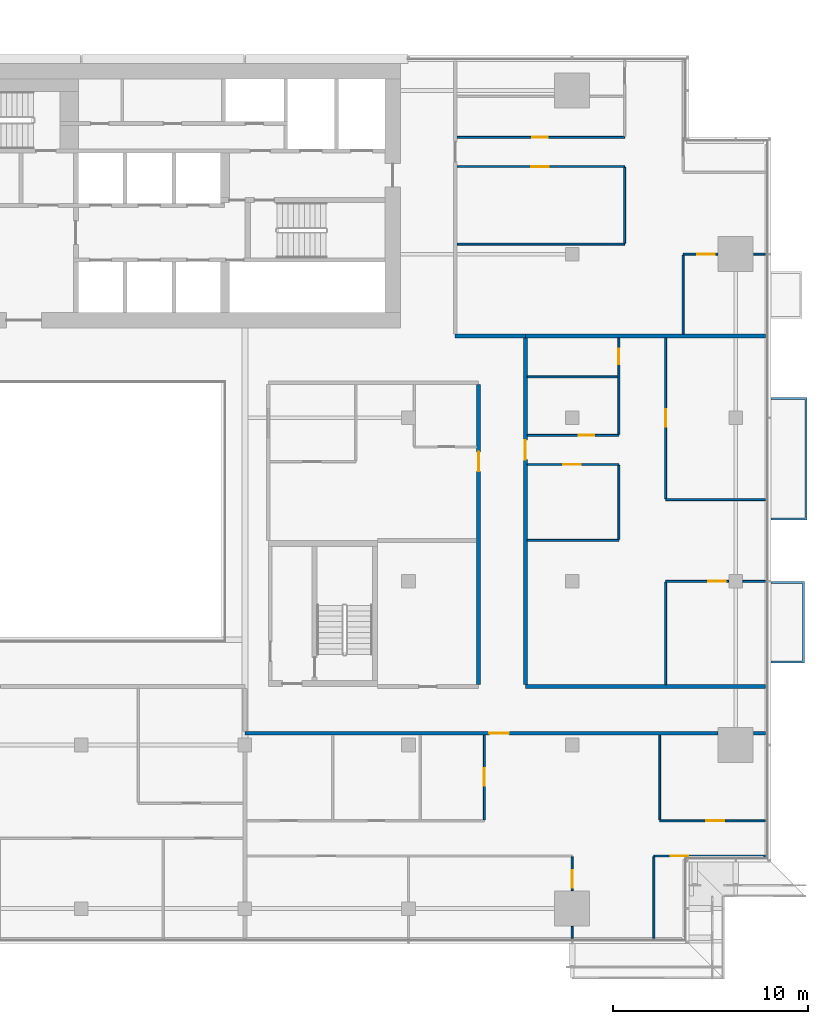
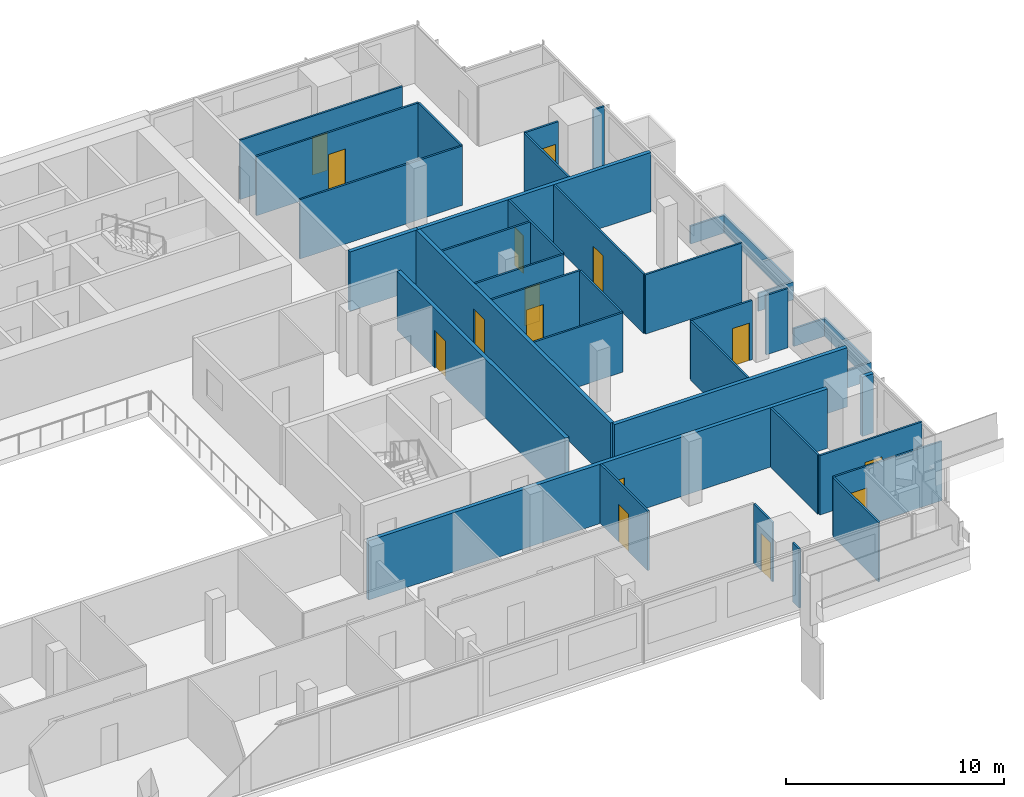
# One storey, part 23 of 30: 34 walls, 15 doors, 15 openings.
"""IFC4 building model written with IfcOpenShell, lengths in metres."""

from ifc_helpers import new_model, si_unit, direction, frame, frame_2d, origin, place, context, subcontext, project, spatial, polyline, rectangle, outline, extrude, material, layer, layer_set, type_object, element, fill, save


model = new_model("IFC4")

# Units and contexts
model_context = context("Model", 3, precision=1e-05, world=origin(), true_north=direction((0.0, 1.0)))
body_context = subcontext(model_context, "Body", "Model", "MODEL_VIEW")
ifc_project = project(units=[si_unit("LENGTHUNIT", "METRE"), si_unit("AREAUNIT", "SQUARE_METRE"), si_unit("VOLUMEUNIT", "CUBIC_METRE"), si_unit("PLANEANGLEUNIT", "RADIAN"), si_unit("MASSUNIT", "GRAM", prefix="KILO")], contexts=[model_context])

# Site, building, storey
site_placement = place(None, origin())
site = spatial("IfcSite", under=ifc_project, at=site_placement, CompositionType="ELEMENT")
building_placement = place(site_placement, origin())
building = spatial("IfcBuilding", under=site, at=building_placement, Name="Saffron Gate Tower", CompositionType="ELEMENT")
storey_placement = place(building_placement, frame((0.0, 0.0, 158.25)))
storey = spatial("IfcBuildingStorey", under=building, at=storey_placement, Name="L38", CompositionType="ELEMENT", Elevation=158.25)

# Wall, opening, door
ifc_material_1 = material(Name="Plasterboard on steel studs", Category="steel")
ifc_layer_1 = layer(ifc_material_1, 0.10009765625)
ifc_layer_set_1 = layer_set([ifc_layer_1], Name="PW1 Partition 100")
wall_type_1 = type_object("IfcWallType", Name="PW1 Partition 100", PredefinedType="PARTITIONING", material=ifc_layer_set_1)
wall_1_placement = place(storey_placement, frame((126.919921875, 34.5, 0.0), z_axis=(0.0, 0.0, 1.0), x_axis=(-1.0, 0.0, 0.0)))
wall_1 = element("IfcWall", 1, at=wall_1_placement, inside=storey, type_object=wall_type_1, Name="Partition C2-4", PredefinedType="PARTITIONING", context=body_context, shape_type="SweptSolid", body=[
    extrude(rectangle(XDim=5.719970703125, YDim=0.10009765625, at=frame_2d((2.85986328125, 0.0))), origin(), (0.0, 0.0, 1.0), 3.320068359375),
])
opening_1_placement = place(wall_1_placement, frame((3.96630859375, 0.0, 0.0)))
opening_1 = element("IfcOpeningElement", 2, at=opening_1_placement, cuts=wall_1, Name="Opening C2-22", PredefinedType="OPENING", context=body_context, shape_type="SweptSolid", body=[
    extrude(rectangle(XDim=0.89990234375, YDim=2.10009765625, at=frame_2d((0.449951171875, 1.050048828125))), frame((0.0, 0.06005859375, 0.0), z_axis=(0.0, -1.0, 0.0), x_axis=(1.0, 0.0, 0.0)), (0.0, 0.0, 1.0), 0.1201171875),
])
ifc_material_2 = material(Name="Timber door set", Category="wood")
door_type_1 = type_object("IfcDoorType", Name="RD1 Room door 900x2100", OperationType="NOTDEFINED", PredefinedType="DOOR", material=ifc_material_2)
door_1_placement = place(opening_1_placement, origin())
door_1 = element("IfcDoor", 3, at=door_1_placement, inside=storey, type_object=door_type_1, Name="Door C2-22", OperationType="SINGLE_SWING_RIGHT", OverallHeight=2.10009765625, OverallWidth=0.89990234375, PredefinedType="DOOR", context=body_context, shape_type="SweptSolid", body=[
    extrude(rectangle(XDim=0.89990234375, YDim=2.10009765625, at=frame_2d((0.449951171875, 1.050048828125))), frame((0.0, 0.02490234375, 0.0), z_axis=(0.0, -1.0, 0.0), x_axis=(1.0, 0.0, 0.0)), (0.0, 0.0, 1.0), 0.050048828125),
])
fill(opening_1, door_1)

wall_2_placement = place(storey_placement, frame((121.5, 36.300048828125, 0.0), z_axis=(0.0, 0.0, 1.0), x_axis=(1.0, 0.0, 0.0)))
wall_2 = element("IfcWall", 4, at=wall_2_placement, inside=storey, type_object=wall_type_1, Name="Partition C2-9", PredefinedType="PARTITIONING", context=body_context, shape_type="SweptSolid", body=[
    extrude(rectangle(XDim=5.419921875, YDim=0.10009765625, at=frame_2d((2.7099609375, 0.0))), origin(), (0.0, 0.0, 1.0), 3.320068359375),
])
opening_2_placement = place(wall_2_placement, frame((2.39990234375, 0.0, 0.0)))
opening_2 = element("IfcOpeningElement", 5, at=opening_2_placement, cuts=wall_2, Name="Opening C2-23", PredefinedType="OPENING", context=body_context, shape_type="SweptSolid", body=[
    extrude(rectangle(XDim=0.89990234375, YDim=2.10009765625, at=frame_2d((0.449951171875, 1.050048828125))), frame((0.0, 0.06005859375, 0.0), z_axis=(0.0, -1.0, 0.0), x_axis=(1.0, 0.0, 0.0)), (0.0, 0.0, 1.0), 0.1201171875),
])
door_2_placement = place(opening_2_placement, origin())
door_2 = element("IfcDoor", 6, at=door_2_placement, inside=storey, type_object=door_type_1, Name="Door C2-23", OperationType="SINGLE_SWING_RIGHT", OverallHeight=2.10009765625, OverallWidth=0.89990234375, PredefinedType="DOOR", context=body_context, shape_type="SweptSolid", body=[
    extrude(rectangle(XDim=0.89990234375, YDim=2.10009765625, at=frame_2d((0.449951171875, 1.050048828125))), frame((0.0, 0.02490234375, 0.0), z_axis=(0.0, -1.0, 0.0), x_axis=(1.0, 0.0, 0.0)), (0.0, 0.0, 1.0), 0.050048828125),
])
fill(opening_2, door_2)

wall_3_placement = place(storey_placement, frame((125.030029296875, 48.60009765625, 0.0), z_axis=(0.0, 0.0, 1.0), x_axis=(-1.0, 0.0, 0.0)))
wall_3 = element("IfcWall", 7, at=wall_3_placement, inside=storey, type_object=wall_type_1, Name="Partition C2-24", PredefinedType="PARTITIONING", context=body_context, shape_type="SweptSolid", body=[
    extrude(rectangle(XDim=3.22998046875, YDim=0.10009765625, at=frame_2d((1.614990234375, 0.0))), origin(), (0.0, 0.0, 1.0), 3.320068359375),
])
opening_3_placement = place(wall_3_placement, frame((0.14990234375, 0.0, 0.0)))
opening_3 = element("IfcOpeningElement", 8, at=opening_3_placement, cuts=wall_3, Name="Opening C2-31", PredefinedType="OPENING", context=body_context, shape_type="SweptSolid", body=[
    extrude(rectangle(XDim=0.89990234375, YDim=2.10009765625, at=frame_2d((0.449951171875, 1.050048828125))), frame((0.0, 0.06005859375, 0.0), z_axis=(0.0, -1.0, 0.0), x_axis=(1.0, 0.0, 0.0)), (0.0, 0.0, 1.0), 0.1201171875),
])
door_3_placement = place(opening_3_placement, origin())
door_3 = element("IfcDoor", 9, at=door_3_placement, inside=storey, type_object=door_type_1, Name="Door C2-31", OperationType="SINGLE_SWING_LEFT", OverallHeight=2.10009765625, OverallWidth=0.89990234375, PredefinedType="DOOR", context=body_context, shape_type="SweptSolid", body=[
    extrude(rectangle(XDim=0.89990234375, YDim=2.10009765625, at=frame_2d((0.449951171875, 1.050048828125))), frame((0.0, 0.02490234375, 0.0), z_axis=(0.0, -1.0, 0.0), x_axis=(1.0, 0.0, 0.0)), (0.0, 0.0, 1.0), 0.050048828125),
])
fill(opening_3, door_3)

# Walls
wall_4_placement = place(storey_placement, frame((125.77001953125, 48.60009765625, 0.0), z_axis=(0.0, 0.0, 1.0), x_axis=(1.0, 0.0, 0.0)))
element("IfcWall", 10, at=wall_4_placement, inside=storey, type_object=wall_type_1, Name="Partition C2-25", PredefinedType="PARTITIONING", context=body_context, shape_type="SweptSolid", body=[
    extrude(rectangle(XDim=1.14990234375, YDim=0.10009765625, at=frame_2d((0.574951171875, 0.0))), origin(), (0.0, 0.0, 1.0), 3.320068359375),
])
wall_5_placement = place(storey_placement, frame((114.699951171875, 50.699951171875, 0.0), z_axis=(0.0, 0.0, 1.0), x_axis=(1.0, 0.0, 0.0)))
element("IfcWall", 11, at=wall_5_placement, inside=storey, type_object=wall_type_1, Name="Partition C2-28", PredefinedType="PARTITIONING", context=body_context, shape_type="SweptSolid", body=[
    extrude(rectangle(XDim=4.699951171875, YDim=0.10009765625, at=frame_2d((2.35009765625, 0.0))), origin(), (0.0, 0.0, 1.0), 3.320068359375),
])
wall_6_placement = place(storey_placement, frame((121.800048828125, 52.800048828125, 0.0), z_axis=(0.0, 0.0, 1.0), x_axis=(1.0, 0.0, 0.0)))
element("IfcWall", 12, at=wall_6_placement, inside=storey, type_object=wall_type_1, Name="Partition C2-30", PredefinedType="PARTITIONING", context=body_context, shape_type="SweptSolid", body=[
    extrude(rectangle(XDim=5.119873046875, YDim=0.10009765625, at=frame_2d((2.56005859375, 0.0))), origin(), (0.0, 0.0, 1.0), 3.320068359375),
])

# Wall, opening, door
wall_7_placement = place(storey_placement, frame((119.39990234375, 54.60009765625, 0.0), z_axis=(0.0, 0.0, 1.0), x_axis=(-1.0, 0.0, 0.0)))
wall_7 = element("IfcWall", 13, at=wall_7_placement, inside=storey, type_object=wall_type_1, Name="Partition C2-31", PredefinedType="PARTITIONING", context=body_context, shape_type="SweptSolid", body=[
    extrude(rectangle(XDim=4.699951171875, YDim=0.10009765625, at=frame_2d((2.35009765625, 0.0))), origin(), (0.0, 0.0, 1.0), 3.320068359375),
])
opening_4_placement = place(wall_7_placement, frame((1.949951171875, 0.0, 0.0)))
opening_4 = element("IfcOpeningElement", 14, at=opening_4_placement, cuts=wall_7, Name="Opening C2-33", PredefinedType="OPENING", context=body_context, shape_type="SweptSolid", body=[
    extrude(rectangle(XDim=0.89990234375, YDim=2.10009765625, at=frame_2d((0.449951171875, 1.050048828125))), frame((0.0, 0.06005859375, 0.0), z_axis=(0.0, -1.0, 0.0), x_axis=(1.0, 0.0, 0.0)), (0.0, 0.0, 1.0), 0.1201171875),
])
door_4_placement = place(opening_4_placement, origin())
door_4 = element("IfcDoor", 15, at=door_4_placement, inside=storey, type_object=door_type_1, Name="Door C2-33", OperationType="SINGLE_SWING_RIGHT", OverallHeight=2.10009765625, OverallWidth=0.89990234375, PredefinedType="DOOR", context=body_context, shape_type="SweptSolid", body=[
    extrude(rectangle(XDim=0.89990234375, YDim=2.10009765625, at=frame_2d((0.449951171875, 1.050048828125))), frame((0.0, 0.02490234375, 0.0), z_axis=(0.0, -1.0, 0.0), x_axis=(1.0, 0.0, 0.0)), (0.0, 0.0, 1.0), 0.050048828125),
])
fill(opening_4, door_4)

wall_8_placement = place(storey_placement, frame((114.699951171875, 56.10009765625, 0.0), z_axis=(0.0, 0.0, 1.0), x_axis=(1.0, 0.0, 0.0)))
wall_8 = element("IfcWall", 16, at=wall_8_placement, inside=storey, type_object=wall_type_1, Name="Partition C2-36", PredefinedType="PARTITIONING", context=body_context, shape_type="SweptSolid", body=[
    extrude(rectangle(XDim=4.699951171875, YDim=0.10009765625, at=frame_2d((2.35009765625, 0.0))), origin(), (0.0, 0.0, 1.0), 3.320068359375),
])
opening_5_placement = place(wall_8_placement, frame((2.64990234375, 0.0, 0.0)))
opening_5 = element("IfcOpeningElement", 17, at=opening_5_placement, cuts=wall_8, Name="Opening C2-48", PredefinedType="OPENING", context=body_context, shape_type="SweptSolid", body=[
    extrude(rectangle(XDim=0.800048828125, YDim=2.10009765625, at=frame_2d((0.39990234375, 1.050048828125))), frame((0.0, 0.06005859375, 0.0), z_axis=(0.0, -1.0, 0.0), x_axis=(1.0, 0.0, 0.0)), (0.0, 0.0, 1.0), 0.1201171875),
])
door_type_2 = type_object("IfcDoorType", Name="RD2 Bathroom door 800x2100", OperationType="NOTDEFINED", PredefinedType="DOOR", material=ifc_material_2)
door_5_placement = place(opening_5_placement, origin())
door_5 = element("IfcDoor", 18, at=door_5_placement, inside=storey, type_object=door_type_2, Name="Door C2-48", OperationType="SINGLE_SWING_RIGHT", OverallHeight=2.10009765625, OverallWidth=0.800048828125, PredefinedType="DOOR", context=body_context, shape_type="SweptSolid", body=[
    extrude(rectangle(XDim=0.800048828125, YDim=2.10009765625, at=frame_2d((0.39990234375, 1.050048828125))), frame((0.0, 0.02490234375, 0.0), z_axis=(0.0, -1.0, 0.0), x_axis=(1.0, 0.0, 0.0)), (0.0, 0.0, 1.0), 0.050048828125),
])
fill(opening_5, door_5)

# Wall
wall_9_placement = place(storey_placement, frame((114.699951171875, 59.10009765625, 0.0), z_axis=(0.0, 0.0, 1.0), x_axis=(1.0, 0.0, 0.0)))
element("IfcWall", 19, at=wall_9_placement, inside=storey, type_object=wall_type_1, Name="Partition C2-41", PredefinedType="PARTITIONING", context=body_context, shape_type="SweptSolid", body=[
    extrude(rectangle(XDim=4.650146484375, YDim=0.10009765625, at=frame_2d((2.3251953125, 0.0))), origin(), (0.0, 0.0, 1.0), 3.320068359375),
])

# Wall, opening, door
wall_10_placement = place(storey_placement, frame((124.47998046875, 65.39990234375, 0.0), z_axis=(0.0, 0.0, 1.0), x_axis=(-1.0, 0.0, 0.0)))
wall_10 = element("IfcWall", 20, at=wall_10_placement, inside=storey, type_object=wall_type_1, Name="Partition C2-47", PredefinedType="PARTITIONING", context=body_context, shape_type="SweptSolid", body=[
    extrude(rectangle(XDim=1.780029296875, YDim=0.10009765625, at=frame_2d((0.89013671875, 0.0))), origin(), (0.0, 0.0, 1.0), 3.320068359375),
])
opening_6_placement = place(wall_10_placement, frame((0.14990234375, 0.0, 0.0)))
opening_6 = element("IfcOpeningElement", 21, at=opening_6_placement, cuts=wall_10, Name="Opening C2-34", PredefinedType="OPENING", context=body_context, shape_type="SweptSolid", body=[
    extrude(rectangle(XDim=0.89990234375, YDim=2.10009765625, at=frame_2d((0.449951171875, 1.050048828125))), frame((0.0, 0.06005859375, 0.0), z_axis=(0.0, -1.0, 0.0), x_axis=(1.0, 0.0, 0.0)), (0.0, 0.0, 1.0), 0.1201171875),
])
door_6_placement = place(opening_6_placement, origin())
door_6 = element("IfcDoor", 22, at=door_6_placement, inside=storey, type_object=door_type_1, Name="Door C2-34", OperationType="SINGLE_SWING_LEFT", OverallHeight=2.10009765625, OverallWidth=0.89990234375, PredefinedType="DOOR", context=body_context, shape_type="SweptSolid", body=[
    extrude(rectangle(XDim=0.89990234375, YDim=2.10009765625, at=frame_2d((0.449951171875, 1.050048828125))), frame((0.0, 0.02490234375, 0.0), z_axis=(0.0, -1.0, 0.0), x_axis=(1.0, 0.0, 0.0)), (0.0, 0.0, 1.0), 0.050048828125),
])
fill(opening_6, door_6)

# Walls
wall_11_placement = place(storey_placement, frame((126.320068359375, 65.39990234375, 0.0), z_axis=(0.0, 0.0, 1.0), x_axis=(1.0, 0.0, 0.0)))
element("IfcWall", 23, at=wall_11_placement, inside=storey, type_object=wall_type_1, Name="Partition C2-48", PredefinedType="PARTITIONING", context=body_context, shape_type="SweptSolid", body=[
    extrude(rectangle(XDim=0.599853515625, YDim=0.10009765625, at=frame_2d((0.2998046875, 0.0))), origin(), (0.0, 0.0, 1.0), 3.320068359375),
])
wall_12_placement = place(storey_placement, frame((111.10009765625, 65.91259765625, 0.0), z_axis=(0.0, 0.0, 1.0), x_axis=(1.0, 0.0, 0.0)))
element("IfcWall", 24, at=wall_12_placement, inside=storey, type_object=wall_type_1, Name="Partition C2-51", PredefinedType="PARTITIONING", context=body_context, shape_type="SweptSolid", body=[
    extrude(rectangle(XDim=8.599853515625, YDim=0.10009765625, at=frame_2d((4.2998046875, 0.0))), origin(), (0.0, 0.0, 1.0), 3.320068359375),
])

# Wall, opening, door
wall_13_placement = place(storey_placement, frame((119.699951171875, 69.89990234375, 0.0), z_axis=(0.0, 0.0, 1.0), x_axis=(-1.0, 0.0, 0.0)))
wall_13 = element("IfcWall", 25, at=wall_13_placement, inside=storey, type_object=wall_type_1, Name="Partition C2-55", PredefinedType="PARTITIONING", context=body_context, shape_type="SweptSolid", body=[
    extrude(rectangle(XDim=8.599853515625, YDim=0.10009765625, at=frame_2d((4.2998046875, 0.0))), origin(), (0.0, 0.0, 1.0), 3.320068359375),
])
opening_7_placement = place(wall_13_placement, frame((3.89990234375, 0.0, 0.0)))
opening_7 = element("IfcOpeningElement", 26, at=opening_7_placement, cuts=wall_13, Name="Opening C2-36", PredefinedType="OPENING", context=body_context, shape_type="SweptSolid", body=[
    extrude(rectangle(XDim=0.89990234375, YDim=2.10009765625, at=frame_2d((0.449951171875, 1.050048828125))), frame((0.0, 0.06005859375, 0.0), z_axis=(0.0, -1.0, 0.0), x_axis=(1.0, 0.0, 0.0)), (0.0, 0.0, 1.0), 0.1201171875),
])
door_7_placement = place(opening_7_placement, origin())
door_7 = element("IfcDoor", 27, at=door_7_placement, inside=storey, type_object=door_type_1, Name="Door C2-36", OperationType="SINGLE_SWING_RIGHT", OverallHeight=2.10009765625, OverallWidth=0.89990234375, PredefinedType="DOOR", context=body_context, shape_type="SweptSolid", body=[
    extrude(rectangle(XDim=0.89990234375, YDim=2.10009765625, at=frame_2d((0.449951171875, 1.050048828125))), frame((0.0, 0.02490234375, 0.0), z_axis=(0.0, -1.0, 0.0), x_axis=(1.0, 0.0, 0.0)), (0.0, 0.0, 1.0), 0.050048828125),
])
fill(opening_7, door_7)

wall_14_placement = place(storey_placement, frame((111.10009765625, 71.39990234375, 0.0), z_axis=(0.0, 0.0, 1.0), x_axis=(1.0, 0.0, 0.0)))
wall_14 = element("IfcWall", 28, at=wall_14_placement, inside=storey, type_object=wall_type_1, Name="Partition C2-57", PredefinedType="PARTITIONING", context=body_context, shape_type="SweptSolid", body=[
    extrude(rectangle(XDim=8.599853515625, YDim=0.10009765625, at=frame_2d((4.2998046875, 0.0))), origin(), (0.0, 0.0, 1.0), 3.320068359375),
])
opening_8_placement = place(wall_14_placement, frame((3.85009765625, 0.0, 0.0)))
opening_8 = element("IfcOpeningElement", 29, at=opening_8_placement, cuts=wall_14, Name="Opening C2-50", PredefinedType="OPENING", context=body_context, shape_type="SweptSolid", body=[
    extrude(rectangle(XDim=0.800048828125, YDim=2.10009765625, at=frame_2d((0.39990234375, 1.050048828125))), frame((0.0, 0.06005859375, 0.0), z_axis=(0.0, -1.0, 0.0), x_axis=(1.0, 0.0, 0.0)), (0.0, 0.0, 1.0), 0.1201171875),
])
door_8_placement = place(opening_8_placement, origin())
door_8 = element("IfcDoor", 30, at=door_8_placement, inside=storey, type_object=door_type_2, Name="Door C2-50", OperationType="SINGLE_SWING_LEFT", OverallHeight=2.10009765625, OverallWidth=0.800048828125, PredefinedType="DOOR", context=body_context, shape_type="SweptSolid", body=[
    extrude(rectangle(XDim=0.800048828125, YDim=2.10009765625, at=frame_2d((0.39990234375, 1.050048828125))), frame((0.0, 0.02490234375, 0.0), z_axis=(0.0, -1.0, 0.0), x_axis=(1.0, 0.0, 0.0)), (0.0, 0.0, 1.0), 0.050048828125),
])
fill(opening_8, door_8)

wall_15_placement = place(storey_placement, frame((112.5, 36.35009765625, 0.0), z_axis=(0.0, 0.0, 1.0), x_axis=(0.0, 1.0, 0.0)))
wall_15 = element("IfcWall", 31, at=wall_15_placement, inside=storey, type_object=wall_type_1, Name="Partition C2-106", PredefinedType="PARTITIONING", context=body_context, shape_type="SweptSolid", body=[
    extrude(rectangle(XDim=4.349853515625, YDim=0.10009765625, at=frame_2d((2.1748046875, 0.0))), origin(), (0.0, 0.0, 1.0), 3.320068359375),
])
opening_9_placement = place(wall_15_placement, frame((1.75, 0.0, 0.0)))
opening_9 = element("IfcOpeningElement", 32, at=opening_9_placement, cuts=wall_15, Name="Opening C2-24", PredefinedType="OPENING", context=body_context, shape_type="SweptSolid", body=[
    extrude(rectangle(XDim=0.89990234375, YDim=2.10009765625, at=frame_2d((0.449951171875, 1.050048828125))), frame((0.0, 0.06005859375, 0.0), z_axis=(0.0, -1.0, 0.0), x_axis=(1.0, 0.0, 0.0)), (0.0, 0.0, 1.0), 0.1201171875),
])
door_9_placement = place(opening_9_placement, origin())
door_9 = element("IfcDoor", 33, at=door_9_placement, inside=storey, type_object=door_type_1, Name="Door C2-24", OperationType="SINGLE_SWING_RIGHT", OverallHeight=2.10009765625, OverallWidth=0.89990234375, PredefinedType="DOOR", context=body_context, shape_type="SweptSolid", body=[
    extrude(rectangle(XDim=0.89990234375, YDim=2.10009765625, at=frame_2d((0.449951171875, 1.050048828125))), frame((0.0, 0.02490234375, 0.0), z_axis=(0.0, -1.0, 0.0), x_axis=(1.0, 0.0, 0.0)), (0.0, 0.0, 1.0), 0.050048828125),
])
fill(opening_9, door_9)

# Wall
wall_16_placement = place(storey_placement, frame((117.0, 30.8798828125, 0.0), z_axis=(0.0, 0.0, 1.0), x_axis=(0.0, -1.0, 0.0)))
element("IfcWall", 34, at=wall_16_placement, inside=storey, type_object=wall_type_1, Name="Partition C2-108", PredefinedType="PARTITIONING", context=body_context, shape_type="SweptSolid", body=[
    extrude(rectangle(XDim=0.599853515625, YDim=0.10009765625, at=frame_2d((0.2998046875, 0.0))), origin(), (0.0, 0.0, 1.0), 3.320068359375),
])

# Wall, opening, door
wall_17_placement = place(storey_placement, frame((117.0, 32.719970703125, 0.0), z_axis=(0.0, 0.0, 1.0), x_axis=(0.0, 1.0, 0.0)))
wall_17 = element("IfcWall", 35, at=wall_17_placement, inside=storey, type_object=wall_type_1, Name="Partition C2-109", PredefinedType="PARTITIONING", context=body_context, shape_type="SweptSolid", body=[
    extrude(rectangle(XDim=1.72998046875, YDim=0.10009765625, at=frame_2d((0.864990234375, 0.0))), origin(), (0.0, 0.0, 1.0), 3.320068359375),
])
opening_10_placement = place(wall_17_placement, frame((0.14990234375, 0.0, 0.0)))
opening_10 = element("IfcOpeningElement", 36, at=opening_10_placement, cuts=wall_17, Name="Opening C2-21", PredefinedType="OPENING", context=body_context, shape_type="SweptSolid", body=[
    extrude(rectangle(XDim=0.89990234375, YDim=2.10009765625, at=frame_2d((0.449951171875, 1.050048828125))), frame((0.0, 0.06005859375, 0.0), z_axis=(0.0, -1.0, 0.0), x_axis=(1.0, 0.0, 0.0)), (0.0, 0.0, 1.0), 0.1201171875),
])
door_10_placement = place(opening_10_placement, origin())
door_10 = element("IfcDoor", 37, at=door_10_placement, inside=storey, type_object=door_type_1, Name="Door C2-21", OperationType="SINGLE_SWING_LEFT", OverallHeight=2.10009765625, OverallWidth=0.89990234375, PredefinedType="DOOR", context=body_context, shape_type="SweptSolid", body=[
    extrude(rectangle(XDim=0.89990234375, YDim=2.10009765625, at=frame_2d((0.449951171875, 1.050048828125))), frame((0.0, 0.02490234375, 0.0), z_axis=(0.0, -1.0, 0.0), x_axis=(1.0, 0.0, 0.0)), (0.0, 0.0, 1.0), 0.050048828125),
])
fill(opening_10, door_10)

# Wall
wall_18_placement = place(storey_placement, frame((119.39990234375, 54.550048828125, 0.0), z_axis=(0.0, 0.0, 1.0), x_axis=(0.0, -1.0, 0.0)))
element("IfcWall", 38, at=wall_18_placement, inside=storey, type_object=wall_type_1, Name="Partition C2-110", PredefinedType="PARTITIONING", context=body_context, shape_type="SweptSolid", body=[
    extrude(rectangle(XDim=3.800048828125, YDim=0.10009765625, at=frame_2d((1.89990234375, 0.0))), origin(), (0.0, 0.0, 1.0), 3.320068359375),
])

# Wall, opening, door
wall_19_placement = place(storey_placement, frame((119.39990234375, 56.14990234375, 0.0), z_axis=(0.0, 0.0, 1.0), x_axis=(0.0, 1.0, 0.0)))
wall_19 = element("IfcWall", 39, at=wall_19_placement, inside=storey, type_object=wall_type_1, Name="Partition C2-111", PredefinedType="PARTITIONING", context=body_context, shape_type="SweptSolid", body=[
    extrude(rectangle(XDim=4.9501953125, YDim=0.10009765625, at=frame_2d((2.47509765625, 0.0))), origin(), (0.0, 0.0, 1.0), 3.320068359375),
])
opening_11_placement = place(wall_19_placement, frame((3.60009765625, 0.0, 0.0)))
opening_11 = element("IfcOpeningElement", 40, at=opening_11_placement, cuts=wall_19, Name="Opening C2-49", PredefinedType="OPENING", context=body_context, shape_type="SweptSolid", body=[
    extrude(rectangle(XDim=0.800048828125, YDim=2.10009765625, at=frame_2d((0.39990234375, 1.050048828125))), frame((0.0, 0.06005859375, 0.0), z_axis=(0.0, -1.0, 0.0), x_axis=(1.0, 0.0, 0.0)), (0.0, 0.0, 1.0), 0.1201171875),
])
door_11_placement = place(opening_11_placement, origin())
door_11 = element("IfcDoor", 41, at=door_11_placement, inside=storey, type_object=door_type_2, Name="Door C2-49", OperationType="SINGLE_SWING_RIGHT", OverallHeight=2.10009765625, OverallWidth=0.800048828125, PredefinedType="DOOR", context=body_context, shape_type="SweptSolid", body=[
    extrude(rectangle(XDim=0.800048828125, YDim=2.10009765625, at=frame_2d((0.39990234375, 1.050048828125))), frame((0.0, 0.02490234375, 0.0), z_axis=(0.0, -1.0, 0.0), x_axis=(1.0, 0.0, 0.0)), (0.0, 0.0, 1.0), 0.050048828125),
])
fill(opening_11, door_11)

# Walls
wall_20_placement = place(storey_placement, frame((119.699951171875, 69.85009765625, 0.0), z_axis=(0.0, 0.0, 1.0), x_axis=(0.0, -1.0, 0.0)))
element("IfcWall", 42, at=wall_20_placement, inside=storey, type_object=wall_type_1, Name="Partition C2-112", PredefinedType="PARTITIONING", context=body_context, shape_type="SweptSolid", body=[
    extrude(rectangle(XDim=3.887451171875, YDim=0.10009765625, at=frame_2d((1.94384765625, 0.0))), origin(), (0.0, 0.0, 1.0), 3.320068359375),
])
wall_21_placement = place(storey_placement, frame((121.199951171875, 34.449951171875, 0.0), z_axis=(0.0, 0.0, 1.0), x_axis=(0.0, -1.0, 0.0)))
element("IfcWall", 43, at=wall_21_placement, inside=storey, type_object=wall_type_1, Name="Partition C2-114", PredefinedType="PARTITIONING", context=body_context, shape_type="SweptSolid", body=[
    extrude(rectangle(XDim=4.169921875, YDim=0.10009765625, at=frame_2d((2.0849609375, 0.0))), origin(), (0.0, 0.0, 1.0), 3.320068359375),
])
wall_22_placement = place(storey_placement, frame((121.5, 40.699951171875, 0.0), z_axis=(0.0, 0.0, 1.0), x_axis=(0.0, -1.0, 0.0)))
element("IfcWall", 44, at=wall_22_placement, inside=storey, type_object=wall_type_1, Name="Partition C2-115", PredefinedType="PARTITIONING", context=body_context, shape_type="SweptSolid", body=[
    extrude(rectangle(XDim=4.349853515625, YDim=0.10009765625, at=frame_2d((2.1748046875, 0.0))), origin(), (0.0, 0.0, 1.0), 3.320068359375),
])
wall_23_placement = place(storey_placement, frame((121.800048828125, 48.550048828125, 0.0), z_axis=(0.0, 0.0, 1.0), x_axis=(0.0, -1.0, 0.0)))
element("IfcWall", 45, at=wall_23_placement, inside=storey, type_object=wall_type_1, Name="Partition C2-116", PredefinedType="PARTITIONING", context=body_context, shape_type="SweptSolid", body=[
    extrude(rectangle(XDim=5.25, YDim=0.10009765625, at=frame_2d((2.625, 0.0))), origin(), (0.0, 0.0, 1.0), 3.320068359375),
])

# Wall, opening, door
wall_24_placement = place(storey_placement, frame((121.800048828125, 61.10009765625, 0.0), z_axis=(0.0, 0.0, 1.0), x_axis=(0.0, -1.0, 0.0)))
wall_24 = element("IfcWall", 46, at=wall_24_placement, inside=storey, type_object=wall_type_1, Name="Partition C2-117", PredefinedType="PARTITIONING", context=body_context, shape_type="SweptSolid", body=[
    extrude(rectangle(XDim=8.25, YDim=0.10009765625, at=frame_2d((4.125, 0.0))), origin(), (0.0, 0.0, 1.0), 3.320068359375),
])
opening_12_placement = place(wall_24_placement, frame((3.64990234375, 0.0, 0.0)))
opening_12 = element("IfcOpeningElement", 47, at=opening_12_placement, cuts=wall_24, Name="Opening C2-32", PredefinedType="OPENING", context=body_context, shape_type="SweptSolid", body=[
    extrude(rectangle(XDim=0.89990234375, YDim=2.10009765625, at=frame_2d((0.449951171875, 1.050048828125))), frame((0.0, 0.06005859375, 0.0), z_axis=(0.0, -1.0, 0.0), x_axis=(1.0, 0.0, 0.0)), (0.0, 0.0, 1.0), 0.1201171875),
])
door_12_placement = place(opening_12_placement, origin())
door_12 = element("IfcDoor", 48, at=door_12_placement, inside=storey, type_object=door_type_1, Name="Door C2-32", OperationType="SINGLE_SWING_LEFT", OverallHeight=2.10009765625, OverallWidth=0.89990234375, PredefinedType="DOOR", context=body_context, shape_type="SweptSolid", body=[
    extrude(rectangle(XDim=0.89990234375, YDim=2.10009765625, at=frame_2d((0.449951171875, 1.050048828125))), frame((0.0, 0.02490234375, 0.0), z_axis=(0.0, -1.0, 0.0), x_axis=(1.0, 0.0, 0.0)), (0.0, 0.0, 1.0), 0.050048828125),
])
fill(opening_12, door_12)

# Walls
wall_25_placement = place(storey_placement, frame((122.699951171875, 65.35009765625, 0.0), z_axis=(0.0, 0.0, 1.0), x_axis=(0.0, -1.0, 0.0)))
element("IfcWall", 49, at=wall_25_placement, inside=storey, type_object=wall_type_1, Name="Partition C2-118", PredefinedType="PARTITIONING", context=body_context, shape_type="SweptSolid", body=[
    extrude(rectangle(XDim=4.050048828125, YDim=0.10009765625, at=frame_2d((2.02490234375, 0.0))), origin(), (0.0, 0.0, 1.0), 3.320068359375),
])
ifc_material_3 = material(Name="Clay brick masonry, rendered", Category="masonry")
ifc_layer_2 = layer(ifc_material_3, 0.199951171875)
ifc_layer_set_2 = layer_set([ifc_layer_2], Name="PW2 Demising wall 200")
wall_type_2 = type_object("IfcWallType", Name="PW2 Demising wall 200", PredefinedType="PARTITIONING", material=ifc_layer_set_2)
wall_26_placement = place(storey_placement, frame((114.60009765625, 61.199951171875, 0.0), z_axis=(0.0, 0.0, 1.0), x_axis=(1.0, 0.0, 0.0)))
element("IfcWall", 50, at=wall_26_placement, inside=storey, type_object=wall_type_2, Name="Wall C2-46", PredefinedType="PARTITIONING", context=body_context, shape_type="SweptSolid", body=[
    extrude(rectangle(XDim=12.31982421875, YDim=0.199951171875, at=frame_2d((6.159912109375, 0.0))), origin(), (0.0, 0.0, 1.0), 3.320068359375),
])

# Wall, opening, door
ifc_layer_3 = layer(ifc_material_3, 0.199951171875)
ifc_layer_set_3 = layer_set([ifc_layer_3], Name="PW3 Corridor wall 200")
wall_type_3 = type_object("IfcWallType", Name="PW3 Corridor wall 200", PredefinedType="PARTITIONING", material=ifc_layer_set_3)
wall_27_placement = place(storey_placement, frame((124.47998046875, 40.800048828125, 0.0), z_axis=(0.0, 0.0, 1.0), x_axis=(-1.0, 0.0, 0.0)))
wall_27 = element("IfcWall", 51, at=wall_27_placement, inside=storey, type_object=wall_type_3, Name="Wall C2-14", PredefinedType="PARTITIONING", context=body_context, shape_type="SweptSolid", body=[
    extrude(rectangle(XDim=24.280029296875, YDim=0.199951171875, at=frame_2d((12.14013671875, 0.0))), origin(), (0.0, 0.0, 1.0), 3.320068359375),
])
opening_13_placement = place(wall_27_placement, frame((10.72998046875, 0.0, 0.0)))
opening_13 = element("IfcOpeningElement", 52, at=opening_13_placement, cuts=wall_27, Name="Opening C2-3", PredefinedType="OPENING", context=body_context, shape_type="SweptSolid", body=[
    extrude(rectangle(XDim=1.0, YDim=2.10009765625, at=frame_2d((0.5, 1.050048828125))), frame((0.0, 0.10986328125, 0.0), z_axis=(0.0, -1.0, 0.0), x_axis=(1.0, 0.0, 0.0)), (0.0, 0.0, 1.0), 0.219970703125),
])
ifc_material_4 = material(Name="Timber fire door set", Category="wood")
door_type_3 = type_object("IfcDoorType", Name="FD1 Flat entry door 1000x2100", OperationType="NOTDEFINED", PredefinedType="DOOR", material=ifc_material_4)
door_13_placement = place(opening_13_placement, origin())
door_13 = element("IfcDoor", 53, at=door_13_placement, inside=storey, type_object=door_type_3, Name="Door C2-3", OperationType="SINGLE_SWING_RIGHT", OverallHeight=2.10009765625, OverallWidth=1.0, PredefinedType="DOOR", context=body_context, shape_type="SweptSolid", body=[
    extrude(rectangle(XDim=1.0, YDim=2.10009765625, at=frame_2d((0.5, 1.050048828125))), frame((0.0, 0.02490234375, 0.0), z_axis=(0.0, -1.0, 0.0), x_axis=(1.0, 0.0, 0.0)), (0.0, 0.0, 1.0), 0.050048828125),
])
fill(opening_13, door_13)

# Walls
wall_28_placement = place(storey_placement, frame((126.320068359375, 40.800048828125, 0.0), z_axis=(0.0, 0.0, 1.0), x_axis=(1.0, 0.0, 0.0)))
element("IfcWall", 54, at=wall_28_placement, inside=storey, type_object=wall_type_3, Name="Wall C2-15", PredefinedType="PARTITIONING", context=body_context, shape_type="SweptSolid", body=[
    extrude(rectangle(XDim=0.599853515625, YDim=0.199951171875, at=frame_2d((0.2998046875, 0.0))), origin(), (0.0, 0.0, 1.0), 3.320068359375),
])
wall_29_placement = place(storey_placement, frame((114.60009765625, 43.199951171875, 0.0), z_axis=(0.0, 0.0, 1.0), x_axis=(1.0, 0.0, 0.0)))
element("IfcWall", 55, at=wall_29_placement, inside=storey, type_object=wall_type_3, Name="Wall C2-20", PredefinedType="PARTITIONING", context=body_context, shape_type="SweptSolid", body=[
    extrude(rectangle(XDim=12.31982421875, YDim=0.199951171875, at=frame_2d((6.159912109375, 0.0))), origin(), (0.0, 0.0, 1.0), 3.320068359375),
])
wall_30_placement = place(storey_placement, frame((111.0, 61.199951171875, 0.0), z_axis=(0.0, 0.0, 1.0), x_axis=(1.0, 0.0, 0.0)))
element("IfcWall", 56, at=wall_30_placement, inside=storey, type_object=wall_type_3, Name="Wall C2-44", PredefinedType="PARTITIONING", context=body_context, shape_type="SweptSolid", body=[
    extrude(rectangle(XDim=3.60009765625, YDim=0.199951171875, at=frame_2d((1.800048828125, 0.0))), origin(), (0.0, 0.0, 1.0), 3.320068359375),
])

# Wall, opening, door
wall_31_placement = place(storey_placement, frame((112.199951171875, 43.300048828125, 0.0), z_axis=(0.0, 0.0, 1.0), x_axis=(0.0, 1.0, 0.0)))
wall_31 = element("IfcWall", 57, at=wall_31_placement, inside=storey, type_object=wall_type_3, Name="Wall C2-105", PredefinedType="PARTITIONING", context=body_context, shape_type="SweptSolid", body=[
    extrude(rectangle(XDim=15.39990234375, YDim=0.199951171875, at=frame_2d((7.699951171875, 0.0))), origin(), (0.0, 0.0, 1.0), 3.320068359375),
])
opening_14_placement = place(wall_31_placement, frame((10.949951171875, 0.0, 0.0)))
opening_14 = element("IfcOpeningElement", 58, at=opening_14_placement, cuts=wall_31, Name="Opening C2-9", PredefinedType="OPENING", context=body_context, shape_type="SweptSolid", body=[
    extrude(rectangle(XDim=1.0, YDim=2.10009765625, at=frame_2d((0.5, 1.050048828125))), frame((0.0, 0.10986328125, 0.0), z_axis=(0.0, -1.0, 0.0), x_axis=(1.0, 0.0, 0.0)), (0.0, 0.0, 1.0), 0.219970703125),
])
door_14_placement = place(opening_14_placement, origin())
door_14 = element("IfcDoor", 59, at=door_14_placement, inside=storey, type_object=door_type_3, Name="Door C2-9", OperationType="SINGLE_SWING_RIGHT", OverallHeight=2.10009765625, OverallWidth=1.0, PredefinedType="DOOR", context=body_context, shape_type="SweptSolid", body=[
    extrude(rectangle(XDim=1.0, YDim=2.10009765625, at=frame_2d((0.5, 1.050048828125))), frame((0.0, 0.02490234375, 0.0), z_axis=(0.0, -1.0, 0.0), x_axis=(1.0, 0.0, 0.0)), (0.0, 0.0, 1.0), 0.050048828125),
])
fill(opening_14, door_14)

wall_32_placement = place(storey_placement, frame((114.60009765625, 61.10009765625, 0.0), z_axis=(0.0, 0.0, 1.0), x_axis=(0.0, -1.0, 0.0)))
wall_32 = element("IfcWall", 60, at=wall_32_placement, inside=storey, type_object=wall_type_3, Name="Wall C2-107", PredefinedType="PARTITIONING", context=body_context, shape_type="SweptSolid", body=[
    extrude(rectangle(XDim=17.800048828125, YDim=0.199951171875, at=frame_2d((8.89990234375, 0.0))), origin(), (0.0, 0.0, 1.0), 3.320068359375),
])
opening_15_placement = place(wall_32_placement, frame((5.25, 0.0, 0.0)))
opening_15 = element("IfcOpeningElement", 61, at=opening_15_placement, cuts=wall_32, Name="Opening C2-6", PredefinedType="OPENING", context=body_context, shape_type="SweptSolid", body=[
    extrude(rectangle(XDim=1.0, YDim=2.10009765625, at=frame_2d((0.5, 1.050048828125))), frame((0.0, 0.10986328125, 0.0), z_axis=(0.0, -1.0, 0.0), x_axis=(1.0, 0.0, 0.0)), (0.0, 0.0, 1.0), 0.219970703125),
])
door_15_placement = place(opening_15_placement, origin())
door_15 = element("IfcDoor", 62, at=door_15_placement, inside=storey, type_object=door_type_3, Name="Door C2-6", OperationType="SINGLE_SWING_LEFT", OverallHeight=2.10009765625, OverallWidth=1.0, PredefinedType="DOOR", context=body_context, shape_type="SweptSolid", body=[
    extrude(rectangle(XDim=1.0, YDim=2.10009765625, at=frame_2d((0.5, 1.050048828125))), frame((0.0, 0.02490234375, 0.0), z_axis=(0.0, -1.0, 0.0), x_axis=(1.0, 0.0, 0.0)), (0.0, 0.0, 1.0), 0.050048828125),
])
fill(opening_15, door_15)

# Walls
ifc_material_5 = material(Name="Rendered insulated panel, white")
ifc_layer_4 = layer(ifc_material_5, 0.10009765625)
ifc_layer_set_4 = layer_set([ifc_layer_4], Name="WB3 box parapet white")
wall_type_4 = type_object("IfcWallType", Name="WB3 box parapet white", PredefinedType="SOLIDWALL", material=ifc_layer_set_4)
wall_33_placement = place(storey_placement, origin())
element("IfcWall", 63, at=wall_33_placement, inside=storey, type_object=wall_type_4, Name="WINDOW BOX parapet", PredefinedType="SOLIDWALL", context=body_context, shape_type="SweptSolid", body=[
    extrude(outline(polyline([(127.199951171875, 44.39990234375), (127.199951171875, 44.5), (128.8330078125, 44.5), (128.8330078125, 48.5), (127.199951171875, 48.5), (127.199951171875, 48.60009765625), (128.93310546875, 48.60009765625), (128.93310546875, 44.39990234375), (127.199951171875, 44.39990234375)])), origin(), (0.0, 0.0, 1.0), 1.0),
])
wall_34_placement = place(storey_placement, origin())
element("IfcWall", 64, at=wall_34_placement, inside=storey, type_object=wall_type_4, Name="WINDOW BOX parapet", PredefinedType="SOLIDWALL", context=body_context, shape_type="SweptSolid", body=[
    extrude(outline(polyline([(127.199951171875, 51.75), (127.199951171875, 51.85009765625), (128.967041015625, 51.85009765625), (128.967041015625, 57.949951171875), (127.199951171875, 57.949951171875), (127.199951171875, 58.050048828125), (129.06689453125, 58.050048828125), (129.06689453125, 51.75), (127.199951171875, 51.75)])), origin(), (0.0, 0.0, 1.0), 1.0),
])

save(model, "model.ifc")
